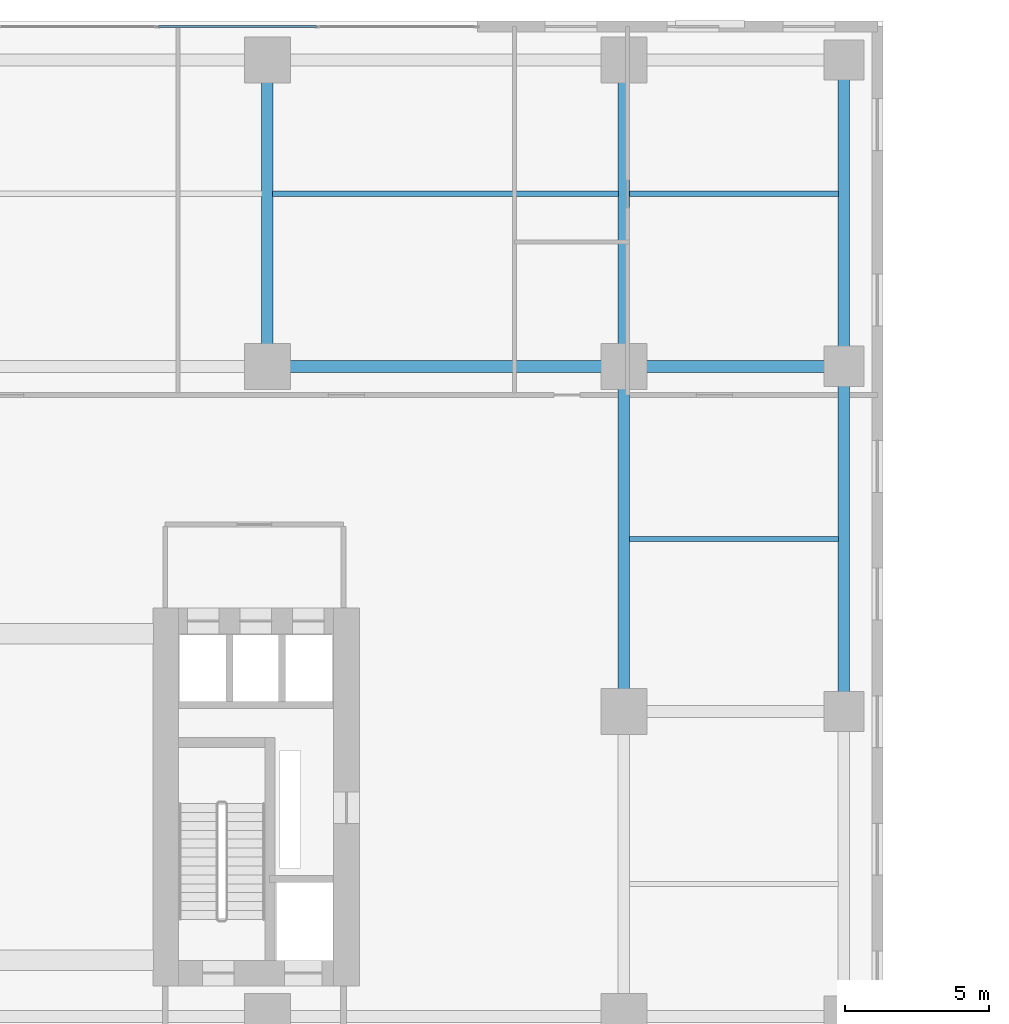
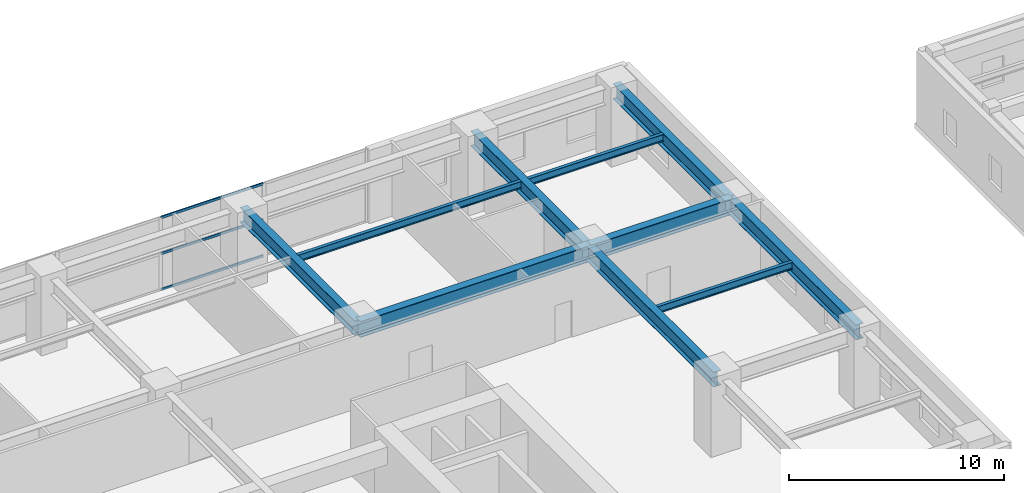
# One storey, part 7 of 26: 10 beams, 3 members, 1 element without a shape of its own.
"""IFC4 building model written with IfcOpenShell, lengths in metres."""

from ifc_helpers import new_model, si_unit, direction, frame, origin, origin_2d, place, context, subcontext, project, spatial, hollow_rectangle, i_section, extrude, source, transform, mapped, material, layer, layer_set, material_profile, profile_set, type_object, element, aggregate, save


model = new_model("IFC4")

# Units and contexts
model_context = context("Model", 3, precision=1e-05, world=origin(), true_north=direction((0.0, 1.0)))
body_context = subcontext(model_context, "Body", "Model", "MODEL_VIEW")
ifc_project = project(units=[si_unit("LENGTHUNIT", "METRE"), si_unit("AREAUNIT", "SQUARE_METRE"), si_unit("VOLUMEUNIT", "CUBIC_METRE"), si_unit("PLANEANGLEUNIT", "RADIAN"), si_unit("MASSUNIT", "GRAM", prefix="KILO")], contexts=[model_context])

# Site, building, storey
site_placement = place(None, origin())
site = spatial("IfcSite", under=ifc_project, at=site_placement, CompositionType="ELEMENT")
building_placement = place(site_placement, origin())
building = spatial("IfcBuilding", under=site, at=building_placement, Name="Khoralis Quay Care Tower", CompositionType="ELEMENT")
storey_placement = place(building_placement, frame((0.0, 0.0, 4.5)))
storey = spatial("IfcBuildingStorey", under=building, at=storey_placement, Name="L01", CompositionType="ELEMENT", Elevation=4.5)

# Beams
ifc_material_1 = material(Name="Steel S355", Category="steel")
ifc_material_profile_1 = material_profile(ifc_material_1, i_section(OverallWidth=0.41796875, OverallDepth=0.912109375, WebThickness=0.019287109375, FlangeThickness=0.031982421875, FilletRadius=0.02392578125, at=origin_2d()), Name="Steel S355")
ifc_profile_set_1 = profile_set([ifc_material_profile_1], Name="Steel S355")
beam_type_1 = type_object("IfcBeamType", Name="BM-W920X342", PredefinedType="BEAM", material=ifc_profile_set_1)
shared_shape_1 = source(origin(), body_context, "Body", "SweptSolid", [
    extrude(i_section(OverallWidth=0.41796875, OverallDepth=0.912109375, WebThickness=0.019287109375, FlangeThickness=0.031982421875, FilletRadius=0.02392578125, at=origin_2d()), origin(), (0.0, 0.0, 1.0), 12.39990234375),
])
beam_1_placement = place(storey_placement, frame((34.60009765625, 36.0, 3.7041015625), z_axis=(1.0, 0.0, 0.0), x_axis=(0.0, 1.0, 0.0)))
element("IfcBeam", 1, at=beam_1_placement, inside=storey, type_object=beam_type_1, Name="BM-PODX-L01-17", PredefinedType="BEAM", context=body_context, shape_type="MappedRepresentation", body=[
    mapped(shared_shape_1, transform((0.0, 0.0, 0.0), scale=1.0)),
])
shared_shape_2 = source(origin(), body_context, "Body", "SweptSolid", [
    extrude(i_section(OverallWidth=0.41796875, OverallDepth=0.912109375, WebThickness=0.019287109375, FlangeThickness=0.031982421875, FilletRadius=0.02392578125, at=origin_2d()), origin(), (0.0, 0.0, 1.0), 7.64990234375),
])
beam_2_placement = place(storey_placement, frame((47.0, 36.0, 3.7041015625), z_axis=(1.0, 0.0, 0.0), x_axis=(0.0, 1.0, 0.0)))
element("IfcBeam", 2, at=beam_2_placement, inside=storey, type_object=beam_type_1, Name="BM-PODX-L01-18", PredefinedType="BEAM", context=body_context, shape_type="MappedRepresentation", body=[
    mapped(shared_shape_2, transform((0.0, 0.0, 0.0), scale=1.0)),
])
ifc_material_profile_2 = material_profile(ifc_material_1, i_section(OverallWidth=0.39990234375, OverallDepth=0.85498046875, WebThickness=0.018310546875, FlangeThickness=0.029296875, FilletRadius=0.02392578125, at=origin_2d()), Name="Steel S355")
ifc_profile_set_2 = profile_set([ifc_material_profile_2], Name="Steel S355")
beam_type_2 = type_object("IfcBeamType", Name="BM-W840X299", PredefinedType="BEAM", material=ifc_profile_set_2)
shared_shape_3 = source(origin(), body_context, "Body", "SweptSolid", [
    extrude(i_section(OverallWidth=0.39990234375, OverallDepth=0.85498046875, WebThickness=0.018310546875, FlangeThickness=0.029296875, FilletRadius=0.02392578125, at=origin_2d()), origin(), (0.0, 0.0, 1.0), 12.0),
])
for number, where, z_axis, x_axis, name in (
    (3, (47.0, 24.0, 3.732421875), (0.0, 1.0, 0.0), (-1.0, 0.0, 0.0), "BM-PODY-L01-42"),
    (4, (54.64990234375, 24.0, 3.732421875), (0.0, 1.0, 0.0), (-1.0, 0.0, 0.0), "BM-PODY-L01-45"),
):
    element("IfcBeam", number, at=place(storey_placement, frame(where, z_axis=z_axis, x_axis=x_axis)), inside=storey, type_object=beam_type_2, Name=name, PredefinedType="BEAM", context=body_context, shape_type="MappedRepresentation", body=[
        mapped(shared_shape_3, transform((0.0, 0.0, 0.0), scale=1.0)),
    ])
shared_shape_4 = source(origin(), body_context, "Body", "SweptSolid", [
    extrude(i_section(OverallWidth=0.39990234375, OverallDepth=0.85498046875, WebThickness=0.018310546875, FlangeThickness=0.029296875, FilletRadius=0.02392578125, at=origin_2d()), origin(), (0.0, 0.0, 1.0), 10.64990234375),
])
for number, where, z_axis, x_axis, name in (
    (5, (34.60009765625, 36.0, 3.732421875), (0.0, 1.0, 0.0), (-1.0, 0.0, 0.0), "BM-PODY-L01-39"),
    (6, (47.0, 36.0, 3.732421875), (0.0, 1.0, 0.0), (-1.0, 0.0, 0.0), "BM-PODY-L01-43"),
    (7, (54.64990234375, 36.0, 3.732421875), (0.0, 1.0, 0.0), (-1.0, 0.0, 0.0), "BM-PODY-L01-46"),
):
    element("IfcBeam", number, at=place(storey_placement, frame(where, z_axis=z_axis, x_axis=x_axis)), inside=storey, type_object=beam_type_2, Name=name, PredefinedType="BEAM", context=body_context, shape_type="MappedRepresentation", body=[
        mapped(shared_shape_4, transform((0.0, 0.0, 0.0), scale=1.0)),
    ])
ifc_material_profile_3 = material_profile(ifc_material_1, i_section(OverallWidth=0.177978515625, OverallDepth=0.406982421875, WebThickness=0.0078125, FlangeThickness=0.0126953125, FilletRadius=0.012939453125, at=origin_2d()), Name="Steel S355")
ifc_profile_set_3 = profile_set([ifc_material_profile_3], Name="Steel S355")
beam_type_3 = type_object("IfcBeamType", Name="BM-W410X60", PredefinedType="JOIST", material=ifc_profile_set_3)
shared_shape_5 = source(origin(), body_context, "Body", "SweptSolid", [
    extrude(i_section(OverallWidth=0.177978515625, OverallDepth=0.406982421875, WebThickness=0.0078125, FlangeThickness=0.0126953125, FilletRadius=0.012939453125, at=origin_2d()), origin(), (0.0, 0.0, 1.0), 12.02392578125),
])
beam_3_placement = place(storey_placement, frame((34.7880859375, 42.0, 3.95654296875), z_axis=(1.0, 0.0, 0.0), x_axis=(0.0, 1.0, 0.0)))
element("IfcBeam", 8, at=beam_3_placement, inside=storey, type_object=beam_type_3, Name="BM-PODJ-L01-58", PredefinedType="JOIST", context=body_context, shape_type="MappedRepresentation", body=[
    mapped(shared_shape_5, transform((0.0, 0.0, 0.0), scale=1.0)),
])
shared_shape_6 = source(origin(), body_context, "Body", "SweptSolid", [
    extrude(i_section(OverallWidth=0.177978515625, OverallDepth=0.406982421875, WebThickness=0.0078125, FlangeThickness=0.0126953125, FilletRadius=0.012939453125, at=origin_2d()), origin(), (0.0, 0.0, 1.0), 7.27392578125),
])
for number, where, z_axis, x_axis, name in (
    (9, (47.18798828125, 30.0, 3.95654296875), (1.0, 0.0, 0.0), (0.0, 1.0, 0.0), "BM-PODJ-L01-54"),
    (10, (47.18798828125, 42.0, 3.95654296875), (1.0, 0.0, 0.0), (0.0, 1.0, 0.0), "BM-PODJ-L01-59"),
):
    element("IfcBeam", number, at=place(storey_placement, frame(where, z_axis=z_axis, x_axis=x_axis)), inside=storey, type_object=beam_type_3, Name=name, PredefinedType="JOIST", context=body_context, shape_type="MappedRepresentation", body=[
        mapped(shared_shape_6, transform((0.0, 0.0, 0.0), scale=1.0)),
    ])

# Curtain wall, members
ifc_material_2 = material(Name="Pale anodised aluminium", Category="aluminium")
ifc_layer = layer(ifc_material_2, 0.179931640625)
ifc_layer_set = layer_set([ifc_layer], Name="Pale anodised aluminium")
curtain_wall_type = type_object("IfcCurtainWallType", Name="CW-SYS-Z1", PredefinedType="NOTDEFINED", material=ifc_layer_set)
curtain_wall_placement = place(storey_placement, origin())
curtain_wall = element("IfcCurtainWall", 11, at=curtain_wall_placement, inside=storey, type_object=curtain_wall_type, Name="L01 Unitised Curtain Wall CW-POD-L01-E4", PredefinedType="NOTDEFINED")
ifc_material_profile_4 = material_profile(ifc_material_2, hollow_rectangle(XDim=0.06005859375, YDim=0.139892578125, WallThickness=0.00390625, at=origin_2d()), Name="Pale anodised aluminium")
ifc_profile_set_4 = profile_set([ifc_material_profile_4], Name="Pale anodised aluminium")
member_type = type_object("IfcMemberType", Name="CW-TRN-140", PredefinedType="USERDEFINED", material=ifc_profile_set_4)
shared_shape_7 = source(origin(), body_context, "Body", "SweptSolid", [
    extrude(hollow_rectangle(XDim=0.06005859375, YDim=0.139892578125, WallThickness=0.00390625, at=origin_2d()), origin(), (0.0, 0.0, 1.0), 5.501953125),
])
member_1_placement = place(storey_placement, frame((36.31298828125, 47.81005859375, 0.030029296875), z_axis=(-1.0, 0.0, 0.0), x_axis=(0.0, -1.0, 0.0)))
member_1 = element("IfcMember", 12, at=member_1_placement, type_object=member_type, Name="CW1 transom 2.1", ObjectType="TRANSOM", PredefinedType="USERDEFINED", context=body_context, shape_type="MappedRepresentation", body=[
    mapped(shared_shape_7, transform((0.0, 0.0, 0.0), scale=1.0)),
])
member_2_placement = place(storey_placement, frame((36.31298828125, 47.81005859375, 2.080078125), z_axis=(-1.0, 0.0, 0.0), x_axis=(0.0, -1.0, 0.0)))
member_2 = element("IfcMember", 13, at=member_2_placement, type_object=member_type, Name="CW1 transom 2.2", ObjectType="TRANSOM", PredefinedType="USERDEFINED", context=body_context, shape_type="MappedRepresentation", body=[
    mapped(shared_shape_7, transform((0.0, 0.0, 0.0), scale=1.0)),
])
member_3_placement = place(storey_placement, frame((36.31298828125, 47.81005859375, 4.1298828125), z_axis=(-1.0, 0.0, 0.0), x_axis=(0.0, -1.0, 0.0)))
member_3 = element("IfcMember", 14, at=member_3_placement, type_object=member_type, Name="CW1 transom 2.3", ObjectType="TRANSOM", PredefinedType="USERDEFINED", context=body_context, shape_type="MappedRepresentation", body=[
    mapped(shared_shape_7, transform((0.0, 0.0, 0.0), scale=1.0)),
])
aggregate(curtain_wall, [member_1, member_2, member_3])

save(model, "model.ifc")
